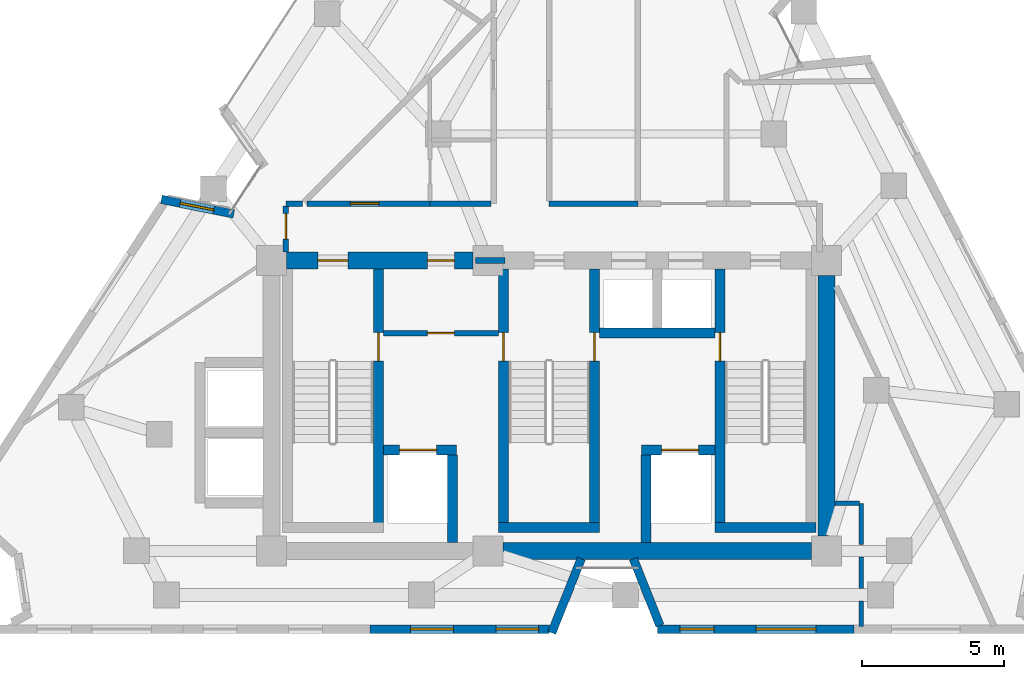
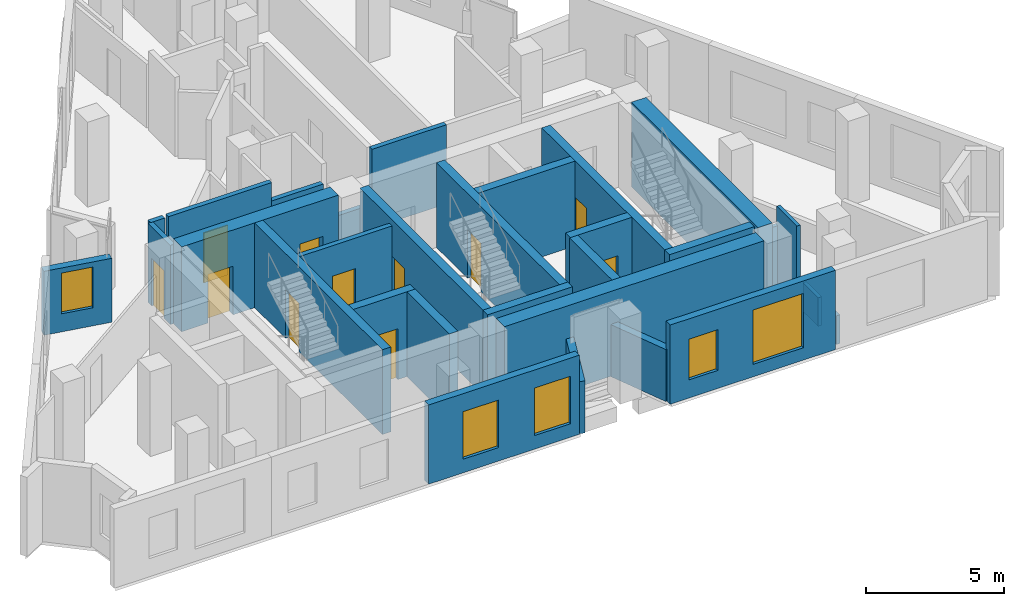
# One storey, part 5 of 9: 30 walls, 11 doors, 5 windows, 16 openings.
"""IFC4 building model written with IfcOpenShell, lengths in metres."""

from ifc_helpers import new_model, si_unit, direction, frame, frame_2d, origin, place, context, subcontext, project, spatial, rectangle, extrude, material, layer, layer_set, type_object, element, fill, save


model = new_model("IFC4")

# Units and contexts
model_context = context("Model", 3, precision=1e-05, world=origin(), true_north=direction((0.0, 1.0)))
body_context = subcontext(model_context, "Body", "Model", "MODEL_VIEW")
ifc_project = project(units=[si_unit("LENGTHUNIT", "METRE"), si_unit("AREAUNIT", "SQUARE_METRE"), si_unit("VOLUMEUNIT", "CUBIC_METRE"), si_unit("PLANEANGLEUNIT", "RADIAN"), si_unit("MASSUNIT", "GRAM", prefix="KILO")], contexts=[model_context])

# Site, building, storey
site_placement = place(None, origin())
site = spatial("IfcSite", under=ifc_project, at=site_placement, CompositionType="ELEMENT")
building_placement = place(site_placement, origin())
building = spatial("IfcBuilding", under=site, at=building_placement, Name="Almagre Mirador Tower", CompositionType="ELEMENT")
storey_placement = place(building_placement, frame((0.0, 0.0, 225.75)))
storey = spatial("IfcBuildingStorey", under=building, at=storey_placement, Name="L58", CompositionType="ELEMENT", Elevation=225.75)

# Wall, opening, window
ifc_material_1 = material(Name="Precast concrete C50/60", Category="concrete")
ifc_layer_1 = layer(ifc_material_1, 0.300048828125)
ifc_layer_set_1 = layer_set([ifc_layer_1], Name="Precast concrete C50/60")
wall_type_1 = type_object("IfcWallType", Name="WAL-EXT-300", PredefinedType="SOLIDWALL", material=ifc_layer_set_1)
wall_1_placement = place(storey_placement, frame((23.67578125, 16.899658203125, 0.0), z_axis=(0.0, 0.0, 1.0), x_axis=(0.980377387813, -0.197129849249, 0.0)))
wall_1 = element("IfcWall", 1, at=wall_1_placement, inside=storey, type_object=wall_type_1, Name="L58 expressed almagre precast frame wall 01", PredefinedType="SOLIDWALL", context=body_context, shape_type="SweptSolid", body=[
    extrude(rectangle(XDim=2.59326171875, YDim=0.300048828125, at=frame_2d((1.296630859375, 0.0))), origin(), (0.0, 0.0, 1.0), 2.824951171875),
])
opening_1_placement = place(wall_1_placement, frame((0.675048828125, 0.0, 0.800048828125)))
opening_1 = element("IfcOpeningElement", 2, at=opening_1_placement, cuts=wall_1, Name="Opening WN-04", PredefinedType="OPENING", context=body_context, shape_type="SweptSolid", body=[
    extrude(rectangle(XDim=1.199951171875, YDim=1.800048828125, at=frame_2d((0.60009765625, 0.89990234375))), frame((0.0, 0.159902, 0.0), z_axis=(0.0, -1.0, 0.0), x_axis=(1.0, 0.0, 0.0)), (0.0, 0.0, 1.0), 0.320049),
])
ifc_material_2 = material(Name="Dark solar-control laminated hurricane glass", Category="glass")
window_type_1 = type_object("IfcWindowType", Name="WIN-1200X1800", PartitioningType="SINGLE_PANEL", PredefinedType="WINDOW", material=ifc_material_2)
window_1_placement = place(opening_1_placement, origin())
window_1 = element("IfcWindow", 3, at=window_1_placement, inside=storey, type_object=window_type_1, Name="L58 recessed hurricane window L58-RST-F", OverallHeight=1.800048828125, OverallWidth=1.199951171875, PartitioningType="SINGLE_PANEL", PredefinedType="WINDOW", context=body_context, shape_type="SweptSolid", body=[
    extrude(rectangle(XDim=1.199951171875, YDim=1.800048828125, at=frame_2d((0.60009765625, 0.89990234375))), frame((0.0, 0.030029296875, 0.0), z_axis=(0.0, -1.0, 0.0), x_axis=(1.0, 0.0, 0.0)), (0.0, 0.0, 1.0), 0.06005859375),
])
fill(opening_1, window_1)

# Wall, openings, windows
wall_2_placement = place(storey_placement, frame((48.02197265625, 1.800048828125, 0.0), z_axis=(0.0, 0.0, 1.0), x_axis=(-1.0, 0.0, 0.0)))
wall_2 = element("IfcWall", 4, at=wall_2_placement, inside=storey, type_object=wall_type_1, Name="L58 expressed almagre precast frame wall 21", PredefinedType="SOLIDWALL", context=body_context, shape_type="SweptSolid", body=[
    extrude(rectangle(XDim=6.91796875, YDim=0.300048828125, at=frame_2d((3.458984375, 0.0))), origin(), (0.0, 0.0, 1.0), 3.5),
])
opening_2_placement = place(wall_2_placement, frame((4.925048828125, 0.0, 0.800048828125)))
opening_2 = element("IfcOpeningElement", 5, at=opening_2_placement, cuts=wall_2, Name="Opening WN-04", PredefinedType="OPENING", context=body_context, shape_type="SweptSolid", body=[
    extrude(rectangle(XDim=1.199951171875, YDim=1.800048828125, at=frame_2d((0.60009765625, 0.89990234375))), frame((0.0, 0.159902, 0.0), z_axis=(0.0, -1.0, 0.0), x_axis=(1.0, 0.0, 0.0)), (0.0, 0.0, 1.0), 0.320049),
])
opening_3_placement = place(wall_2_placement, frame((1.35009765625, 0.0, 0.550048828125)))
opening_3 = element("IfcOpeningElement", 6, at=opening_3_placement, cuts=wall_2, Name="Opening WN-05", PredefinedType="OPENING", context=body_context, shape_type="SweptSolid", body=[
    extrude(rectangle(XDim=2.10009765625, YDim=2.39990234375, at=frame_2d((1.050048828125, 1.199951171875))), frame((0.0, 0.159902, 0.0), z_axis=(0.0, -1.0, 0.0), x_axis=(1.0, 0.0, 0.0)), (0.0, 0.0, 1.0), 0.320049),
])
window_2_placement = place(opening_2_placement, origin())
window_2 = element("IfcWindow", 7, at=window_2_placement, inside=storey, type_object=window_type_1, Name="L58 recessed hurricane window L58-UB-BT", OverallHeight=1.800048828125, OverallWidth=1.199951171875, PartitioningType="SINGLE_PANEL", PredefinedType="WINDOW", context=body_context, shape_type="SweptSolid", body=[
    extrude(rectangle(XDim=1.199951171875, YDim=1.800048828125, at=frame_2d((0.60009765625, 0.89990234375))), frame((0.0, 0.030029296875, 0.0), z_axis=(0.0, -1.0, 0.0), x_axis=(1.0, 0.0, 0.0)), (0.0, 0.0, 1.0), 0.06005859375),
])
fill(opening_2, window_2)
ifc_material_3 = material(Name="Dark solar-control laminated hurricane glass", Category="glass")
window_type_2 = type_object("IfcWindowType", Name="WIN-2100X2400", PartitioningType="DOUBLE_PANEL_VERTICAL", PredefinedType="WINDOW", material=ifc_material_3)
window_3_placement = place(opening_3_placement, origin())
window_3 = element("IfcWindow", 8, at=window_3_placement, inside=storey, type_object=window_type_2, Name="L58 recessed hurricane window L58-UC-BT", OverallHeight=2.39990234375, OverallWidth=2.10009765625, PartitioningType="SINGLE_PANEL", PredefinedType="WINDOW", context=body_context, shape_type="SweptSolid", body=[
    extrude(rectangle(XDim=2.10009765625, YDim=2.39990234375, at=frame_2d((1.050048828125, 1.199951171875))), frame((0.0, 0.030029296875, 0.0), z_axis=(0.0, -1.0, 0.0), x_axis=(1.0, 0.0, 0.0)), (0.0, 0.0, 1.0), 0.06005859375),
])
fill(opening_3, window_3)

# Walls
wall_3_placement = place(storey_placement, frame((41.194091796875, 1.92529296875, 0.0), z_axis=(0.0, 0.0, 1.0), x_axis=(-0.369457562636, 0.929247603931, 0.0)))
element("IfcWall", 9, at=wall_3_placement, inside=storey, type_object=wall_type_1, Name="L58 expressed almagre precast frame wall 22", PredefinedType="SOLIDWALL", context=body_context, shape_type="SweptSolid", body=[
    extrude(rectangle(XDim=2.52685546875, YDim=0.300048828125, at=frame_2d((1.263427734375, 0.0))), origin(), (0.0, 0.0, 1.0), 2.300048828125),
])
wall_4_placement = place(storey_placement, frame((38.427490234375, 4.2734375, 0.0), z_axis=(0.0, 0.0, 1.0), x_axis=(-0.369466825356, -0.929243921132, 0.0)))
element("IfcWall", 10, at=wall_4_placement, inside=storey, type_object=wall_type_1, Name="L58 expressed almagre precast frame wall 23", PredefinedType="SOLIDWALL", context=body_context, shape_type="SweptSolid", body=[
    extrude(rectangle(XDim=2.8017578125, YDim=0.300048828125, at=frame_2d((1.40087890625, 0.0))), origin(), (0.0, 0.0, 1.0), 2.300048828125),
])

# Wall, openings, windows
wall_5_placement = place(storey_placement, frame((37.30908203125, 1.800048828125, 0.0), z_axis=(0.0, 0.0, 1.0), x_axis=(-1.0, 0.0, 0.0)))
wall_5 = element("IfcWall", 11, at=wall_5_placement, inside=storey, type_object=wall_type_1, Name="L58 expressed almagre precast frame wall 24", PredefinedType="SOLIDWALL", context=body_context, shape_type="SweptSolid", body=[
    extrude(rectangle(XDim=6.2998046875, YDim=0.300048828125, at=frame_2d((3.14990234375, 0.0))), origin(), (0.0, 0.0, 1.0), 3.5),
])
opening_4_placement = place(wall_5_placement, frame((3.375, 0.0, 0.60009765625)))
opening_4 = element("IfcOpeningElement", 12, at=opening_4_placement, cuts=wall_5, Name="Opening WN-03", PredefinedType="OPENING", context=body_context, shape_type="SweptSolid", body=[
    extrude(rectangle(XDim=1.5, YDim=2.10009765625, at=frame_2d((0.75, 1.050048828125))), frame((0.0, 0.159902, 0.0), z_axis=(0.0, -1.0, 0.0), x_axis=(1.0, 0.0, 0.0)), (0.0, 0.0, 1.0), 0.320049),
])
opening_5_placement = place(wall_5_placement, frame((0.375, 0.0, 0.60009765625)))
opening_5 = element("IfcOpeningElement", 13, at=opening_5_placement, cuts=wall_5, Name="Opening WN-03", PredefinedType="OPENING", context=body_context, shape_type="SweptSolid", body=[
    extrude(rectangle(XDim=1.5, YDim=2.10009765625, at=frame_2d((0.75, 1.050048828125))), frame((0.0, 0.159902, 0.0), z_axis=(0.0, -1.0, 0.0), x_axis=(1.0, 0.0, 0.0)), (0.0, 0.0, 1.0), 0.320049),
])
ifc_material_4 = material(Name="Dark solar-control laminated hurricane glass", Category="glass")
window_type_3 = type_object("IfcWindowType", Name="WIN-1500X2100", PartitioningType="DOUBLE_PANEL_VERTICAL", PredefinedType="WINDOW", material=ifc_material_4)
window_4_placement = place(opening_4_placement, origin())
window_4 = element("IfcWindow", 14, at=window_4_placement, inside=storey, type_object=window_type_3, Name="L58 recessed hurricane window L58-UB-ST", OverallHeight=2.10009765625, OverallWidth=1.5, PartitioningType="SINGLE_PANEL", PredefinedType="WINDOW", context=body_context, shape_type="SweptSolid", body=[
    extrude(rectangle(XDim=1.5, YDim=2.10009765625, at=frame_2d((0.75, 1.050048828125))), frame((0.0, 0.030029296875, 0.0), z_axis=(0.0, -1.0, 0.0), x_axis=(1.0, 0.0, 0.0)), (0.0, 0.0, 1.0), 0.06005859375),
])
fill(opening_4, window_4)
window_5_placement = place(opening_5_placement, origin())
window_5 = element("IfcWindow", 15, at=window_5_placement, inside=storey, type_object=window_type_3, Name="L58 recessed hurricane window L58-UB-BT", OverallHeight=2.10009765625, OverallWidth=1.5, PartitioningType="SINGLE_PANEL", PredefinedType="WINDOW", context=body_context, shape_type="SweptSolid", body=[
    extrude(rectangle(XDim=1.5, YDim=2.10009765625, at=frame_2d((0.75, 1.050048828125))), frame((0.0, 0.030029296875, 0.0), z_axis=(0.0, -1.0, 0.0), x_axis=(1.0, 0.0, 0.0)), (0.0, 0.0, 1.0), 0.06005859375),
])
fill(opening_5, window_5)

# Walls
ifc_material_5 = material(Name="Gypsum acoustic stud partition", Category="other")
ifc_layer_2 = layer(ifc_material_5, 0.14990234375)
ifc_layer_set_2 = layer_set([ifc_layer_2], Name="Gypsum acoustic stud partition")
wall_type_2 = type_object("IfcWallType", Name="WAL-PRT-150-STD", PredefinedType="PARTITIONING", material=ifc_layer_set_2)
wall_6_placement = place(storey_placement, frame((48.27001953125, 2.780029296875, 0.0), z_axis=(0.0, 0.0, 1.0), x_axis=(0.0, -1.0, 0.0)))
element("IfcWall", 16, at=wall_6_placement, inside=storey, type_object=wall_type_2, Name="L58 interior partition 026", PredefinedType="PARTITIONING", context=body_context, shape_type="SweptSolid", body=[
    extrude(rectangle(XDim=0.880126953125, YDim=0.14990234375, at=frame_2d((0.43994140625, 0.0))), origin(), (0.0, 0.0, 1.0), 1.27001953125),
])
wall_7_placement = place(storey_placement, frame((48.27001953125, 4.330078125, 0.0), z_axis=(0.0, 0.0, 1.0), x_axis=(0.0, -1.0, 0.0)))
element("IfcWall", 17, at=wall_7_placement, inside=storey, type_object=wall_type_2, Name="L58 interior partition 027", PredefinedType="PARTITIONING", context=body_context, shape_type="SweptSolid", body=[
    extrude(rectangle(XDim=1.110107421875, YDim=0.14990234375, at=frame_2d((0.55517578125, 0.0))), origin(), (0.0, 0.0, 1.0), 1.27001953125),
])
wall_8_placement = place(storey_placement, frame((48.27001953125, 6.219970703125, 0.0), z_axis=(0.0, 0.0, 1.0), x_axis=(0.0, -1.0, 0.0)))
element("IfcWall", 18, at=wall_8_placement, inside=storey, type_object=wall_type_2, Name="L58 interior partition 028", PredefinedType="PARTITIONING", context=body_context, shape_type="SweptSolid", body=[
    extrude(rectangle(XDim=1.449951171875, YDim=0.14990234375, at=frame_2d((0.72509765625, 0.0))), origin(), (0.0, 0.0, 1.0), 3.5),
])
wall_9_placement = place(storey_placement, frame((47.35009765625, 6.219970703125, 0.0), z_axis=(0.0, 0.0, 1.0), x_axis=(1.0, 0.0, 0.0)))
element("IfcWall", 19, at=wall_9_placement, inside=storey, type_object=wall_type_2, Name="L58 interior partition 030", PredefinedType="PARTITIONING", context=body_context, shape_type="SweptSolid", body=[
    extrude(rectangle(XDim=0.85986328125, YDim=0.14990234375, at=frame_2d((0.429931640625, 0.0))), origin(), (0.0, 0.0, 1.0), 2.68505859375),
])
ifc_material_6 = material(Name="Gypsum acoustic stud partition", Category="other")
ifc_layer_3 = layer(ifc_material_6, 0.199951171875)
ifc_layer_set_3 = layer_set([ifc_layer_3], Name="Gypsum acoustic stud partition")
wall_type_3 = type_object("IfcWallType", Name="WAL-PRT-200-EI60", PredefinedType="PARTITIONING", material=ifc_layer_set_3)
wall_10_placement = place(storey_placement, frame((34.719970703125, 14.75, 0.0), z_axis=(0.0, 0.0, 1.0), x_axis=(1.0, 0.0, 0.0)))
element("IfcWall", 20, at=wall_10_placement, inside=storey, type_object=wall_type_3, Name="L58 core north closure wall", PredefinedType="PARTITIONING", context=body_context, shape_type="SweptSolid", body=[
    extrude(rectangle(XDim=1.030029296875, YDim=0.199951171875, at=frame_2d((0.51513671875, 0.0))), origin(), (0.0, 0.0, 1.0), 2.68505859375),
])

# Wall, opening, door
wall_11_placement = place(storey_placement, frame((31.47998046875, 12.199951171875, 0.0), z_axis=(0.0, 0.0, 1.0), x_axis=(1.0, 0.0, 0.0)))
wall_11 = element("IfcWall", 21, at=wall_11_placement, inside=storey, type_object=wall_type_3, Name="L58 FFL-1 north enclosure wall", PredefinedType="PARTITIONING", context=body_context, shape_type="SweptSolid", body=[
    extrude(rectangle(XDim=4.0400390625, YDim=0.199951171875, at=frame_2d((2.02001953125, 0.0))), origin(), (0.0, 0.0, 1.0), 3.5),
])
opening_6_placement = place(wall_11_placement, frame((1.544921875, 0.0, 0.0)))
opening_6 = element("IfcOpeningElement", 22, at=opening_6_placement, cuts=wall_11, Name="Opening ID-02", PredefinedType="OPENING", context=body_context, shape_type="SweptSolid", body=[
    extrude(rectangle(XDim=0.949951171875, YDim=2.14990234375, at=frame_2d((0.47509765625, 1.074951171875))), frame((0.0, 0.110098, 0.0), z_axis=(0.0, -1.0, 0.0), x_axis=(1.0, 0.0, 0.0)), (0.0, 0.0, 1.0), 0.219951),
])
ifc_material_7 = material(Name="Fire-rated walnut timber", Category="wood")
door_type_1 = type_object("IfcDoorType", Name="DOR-FD60-950X2150", OperationType="NOTDEFINED", PredefinedType="DOOR", material=ifc_material_7)
door_1_placement = place(opening_6_placement, origin())
door_1 = element("IfcDoor", 23, at=door_1_placement, inside=storey, type_object=door_type_1, Name="DR-1779 L58 FFL-1 north smoke door", OperationType="SINGLE_SWING_RIGHT", OverallHeight=2.14990234375, OverallWidth=0.949951171875, PredefinedType="DOOR", context=body_context, shape_type="SweptSolid", body=[
    extrude(rectangle(XDim=0.949951171875, YDim=2.14990234375, at=frame_2d((0.47509765625, 1.074951171875))), frame((0.0, 0.02490234375, 0.0), z_axis=(0.0, -1.0, 0.0), x_axis=(1.0, 0.0, 0.0)), (0.0, 0.0, 1.0), 0.050048828125),
])
fill(opening_6, door_1)

# Wall
wall_12_placement = place(storey_placement, frame((28.639892578125, 16.75, 0.0), z_axis=(0.0, 0.0, 1.0), x_axis=(-1.0, 0.0, 0.0)))
element("IfcWall", 24, at=wall_12_placement, inside=storey, type_object=wall_type_3, Name="L58 interior partition 003", PredefinedType="PARTITIONING", context=body_context, shape_type="SweptSolid", body=[
    extrude(rectangle(XDim=0.58984375, YDim=0.199951171875, at=frame_2d((0.294921875, 0.0))), origin(), (0.0, 0.0, 1.0), 3.5),
])

# Wall, opening, door
wall_13_placement = place(storey_placement, frame((28.050048828125, 16.6650390625, 0.0), z_axis=(0.0, 0.0, 1.0), x_axis=(0.0, -1.0, 0.0)))
wall_13 = element("IfcWall", 25, at=wall_13_placement, inside=storey, type_object=wall_type_3, Name="L58 interior partition 004", PredefinedType="PARTITIONING", context=body_context, shape_type="SweptSolid", body=[
    extrude(rectangle(XDim=1.614990234375, YDim=0.199951171875, at=frame_2d((0.8076171875, 0.0))), origin(), (0.0, 0.0, 1.0), 3.5),
])
opening_7_placement = place(wall_13_placement, frame((0.262939453125, 0.0, 0.0)))
opening_7 = element("IfcOpeningElement", 26, at=opening_7_placement, cuts=wall_13, Name="Opening ID-03", PredefinedType="OPENING", context=body_context, shape_type="SweptSolid", body=[
    extrude(rectangle(XDim=0.89990234375, YDim=2.10009765625, at=frame_2d((0.449951171875, 1.050048828125))), frame((0.0, 0.110098, 0.0), z_axis=(0.0, -1.0, 0.0), x_axis=(1.0, 0.0, 0.0)), (0.0, 0.0, 1.0), 0.219951),
])
ifc_material_8 = material(Name="Fire-rated hollow steel", Category="steel")
door_type_2 = type_object("IfcDoorType", Name="DOR-FD60-900X2100", OperationType="NOTDEFINED", PredefinedType="DOOR", material=ifc_material_8)
door_2_placement = place(opening_7_placement, origin())
door_2 = element("IfcDoor", 27, at=door_2_placement, inside=storey, type_object=door_type_2, Name="DR-1785 L58 interior door L58-RCOR to L58-RST-F", OperationType="SINGLE_SWING_LEFT", OverallHeight=2.10009765625, OverallWidth=0.89990234375, PredefinedType="DOOR", context=body_context, shape_type="SweptSolid", body=[
    extrude(rectangle(XDim=0.89990234375, YDim=2.10009765625, at=frame_2d((0.449951171875, 1.050048828125))), frame((0.0, 0.02490234375, 0.0), z_axis=(0.0, -1.0, 0.0), x_axis=(1.0, 0.0, 0.0)), (0.0, 0.0, 1.0), 0.050048828125),
])
fill(opening_7, door_2)

wall_14_placement = place(storey_placement, frame((33.110107421875, 16.75, 0.0), z_axis=(0.0, 0.0, 1.0), x_axis=(-1.0, 0.0, 0.0)))
wall_14 = element("IfcWall", 28, at=wall_14_placement, inside=storey, type_object=wall_type_3, Name="L58 interior partition 005", PredefinedType="PARTITIONING", context=body_context, shape_type="SweptSolid", body=[
    extrude(rectangle(XDim=4.31005859375, YDim=0.199951171875, at=frame_2d((2.155029296875, 0.0))), origin(), (0.0, 0.0, 1.0), 3.5),
])
opening_8_placement = place(wall_14_placement, frame((1.794189453125, 0.0, 0.0)))
opening_8 = element("IfcOpeningElement", 29, at=opening_8_placement, cuts=wall_14, Name="Opening ID-01", PredefinedType="OPENING", context=body_context, shape_type="SweptSolid", body=[
    extrude(rectangle(XDim=1.0, YDim=2.199951171875, at=frame_2d((0.5, 1.10009765625))), frame((0.0, 0.110098, 0.0), z_axis=(0.0, -1.0, 0.0), x_axis=(1.0, 0.0, 0.0)), (0.0, 0.0, 1.0), 0.219951),
])
ifc_material_9 = material(Name="Fire-rated walnut timber", Category="wood")
door_type_3 = type_object("IfcDoorType", Name="DOR-FD60-1000X2200", OperationType="NOTDEFINED", PredefinedType="DOOR", material=ifc_material_9)
door_3_placement = place(opening_8_placement, origin())
door_3 = element("IfcDoor", 30, at=door_3_placement, inside=storey, type_object=door_type_3, Name="DR-1788 L58 interior door L58-RCOR to L58-UG-ST", OperationType="SINGLE_SWING_RIGHT", OverallHeight=2.199951171875, OverallWidth=1.0, PredefinedType="DOOR", context=body_context, shape_type="SweptSolid", body=[
    extrude(rectangle(XDim=1.0, YDim=2.199951171875, at=frame_2d((0.5, 1.10009765625))), frame((0.0, 0.02490234375, 0.0), z_axis=(0.0, -1.0, 0.0), x_axis=(1.0, 0.0, 0.0)), (0.0, 0.0, 1.0), 0.050048828125),
])
fill(opening_8, door_3)

# Walls
wall_15_placement = place(storey_placement, frame((35.264892578125, 16.75, 0.0), z_axis=(0.0, 0.0, 1.0), x_axis=(-1.0, 0.0, 0.0)))
element("IfcWall", 31, at=wall_15_placement, inside=storey, type_object=wall_type_3, Name="L58 interior partition 007", PredefinedType="PARTITIONING", context=body_context, shape_type="SweptSolid", body=[
    extrude(rectangle(XDim=2.15478515625, YDim=0.199951171875, at=frame_2d((1.077392578125, 0.0))), origin(), (0.0, 0.0, 1.0), 2.68505859375),
])
wall_16_placement = place(storey_placement, frame((40.419921875, 16.75, 0.0), z_axis=(0.0, 0.0, 1.0), x_axis=(-1.0, 0.0, 0.0)))
element("IfcWall", 32, at=wall_16_placement, inside=storey, type_object=wall_type_3, Name="L58 interior partition 009", PredefinedType="PARTITIONING", context=body_context, shape_type="SweptSolid", body=[
    extrude(rectangle(XDim=3.119873046875, YDim=0.199951171875, at=frame_2d((1.56005859375, 0.0))), origin(), (0.0, 0.0, 1.0), 3.5),
])

# Wall, opening, door
ifc_material_10 = material(Name="Concrete C60/75", Category="concrete")
ifc_layer_4 = layer(ifc_material_10, 0.35009765625)
ifc_layer_set_4 = layer_set([ifc_layer_4], Name="Concrete C60/75")
wall_type_4 = type_object("IfcWallType", Name="WAL-SHF-350", PredefinedType="SOLIDWALL", material=ifc_layer_set_4)
wall_17_placement = place(storey_placement, frame((31.300048828125, 5.199951171875, 0.0), z_axis=(0.0, 0.0, 1.0), x_axis=(0.0, 1.0, 0.0)))
wall_17 = element("IfcWall", 33, at=wall_17_placement, inside=storey, type_object=wall_type_4, Name="L58 shaft wall ST1-E", PredefinedType="SOLIDWALL", context=body_context, shape_type="SweptSolid", body=[
    extrude(rectangle(XDim=9.25, YDim=0.35009765625, at=frame_2d((4.625, 0.0))), origin(), (0.0, 0.0, 1.0), 3.75),
])
opening_9_placement = place(wall_17_placement, frame((6.02001953125, 0.0, 0.0)))
opening_9 = element("IfcOpeningElement", 34, at=opening_9_placement, cuts=wall_17, Name="Opening FD-01", PredefinedType="OPENING", context=body_context, shape_type="SweptSolid", body=[
    extrude(rectangle(XDim=1.0, YDim=2.14990234375, at=frame_2d((0.5, 1.074951171875))), frame((0.0, 0.185049, 0.0), z_axis=(0.0, -1.0, 0.0), x_axis=(1.0, 0.0, 0.0)), (0.0, 0.0, 1.0), 0.370098),
])
ifc_material_11 = material(Name="Fire-rated hollow steel", Category="steel")
door_type_4 = type_object("IfcDoorType", Name="DOR-FFL-1000X2150", OperationType="NOTDEFINED", PredefinedType="DOOR", material=ifc_material_11)
door_4_placement = place(opening_9_placement, origin())
door_4 = element("IfcDoor", 35, at=door_4_placement, inside=storey, type_object=door_type_4, Name="DR-1780 L58 FFL1-ST1 smokeproof door", OperationType="SINGLE_SWING_RIGHT", OverallHeight=2.14990234375, OverallWidth=1.0, PredefinedType="DOOR", context=body_context, shape_type="SweptSolid", body=[
    extrude(rectangle(XDim=1.0, YDim=2.14990234375, at=frame_2d((0.5, 1.074951171875))), frame((0.0, 0.02490234375, 0.0), z_axis=(0.0, -1.0, 0.0), x_axis=(1.0, 0.0, 0.0)), (0.0, 0.0, 1.0), 0.050048828125),
])
fill(opening_9, door_4)

wall_18_placement = place(storey_placement, frame((35.699951171875, 5.199951171875, 0.0), z_axis=(0.0, 0.0, 1.0), x_axis=(0.0, 1.0, 0.0)))
wall_18 = element("IfcWall", 36, at=wall_18_placement, inside=storey, type_object=wall_type_4, Name="L58 shaft wall ST2-W", PredefinedType="SOLIDWALL", context=body_context, shape_type="SweptSolid", body=[
    extrude(rectangle(XDim=9.25, YDim=0.35009765625, at=frame_2d((4.625, 0.0))), origin(), (0.0, 0.0, 1.0), 3.75),
])
opening_10_placement = place(wall_18_placement, frame((6.02001953125, 0.0, 0.0)))
opening_10 = element("IfcOpeningElement", 37, at=opening_10_placement, cuts=wall_18, Name="Opening FD-01", PredefinedType="OPENING", context=body_context, shape_type="SweptSolid", body=[
    extrude(rectangle(XDim=1.0, YDim=2.14990234375, at=frame_2d((0.5, 1.074951171875))), frame((0.0, 0.185049, 0.0), z_axis=(0.0, -1.0, 0.0), x_axis=(1.0, 0.0, 0.0)), (0.0, 0.0, 1.0), 0.370098),
])
door_5_placement = place(opening_10_placement, origin())
door_5 = element("IfcDoor", 38, at=door_5_placement, inside=storey, type_object=door_type_4, Name="DR-1781 L58 FFL1-ST2 smokeproof door", OperationType="SINGLE_SWING_LEFT", OverallHeight=2.14990234375, OverallWidth=1.0, PredefinedType="DOOR", context=body_context, shape_type="SweptSolid", body=[
    extrude(rectangle(XDim=1.0, YDim=2.14990234375, at=frame_2d((0.5, 1.074951171875))), frame((0.0, 0.02490234375, 0.0), z_axis=(0.0, -1.0, 0.0), x_axis=(1.0, 0.0, 0.0)), (0.0, 0.0, 1.0), 0.050048828125),
])
fill(opening_10, door_5)

wall_19_placement = place(storey_placement, frame((38.89990234375, 5.199951171875, 0.0), z_axis=(0.0, 0.0, 1.0), x_axis=(0.0, 1.0, 0.0)))
wall_19 = element("IfcWall", 39, at=wall_19_placement, inside=storey, type_object=wall_type_4, Name="L58 shaft wall ST2-E", PredefinedType="SOLIDWALL", context=body_context, shape_type="SweptSolid", body=[
    extrude(rectangle(XDim=9.25, YDim=0.35009765625, at=frame_2d((4.625, 0.0))), origin(), (0.0, 0.0, 1.0), 3.75),
])
opening_11_placement = place(wall_19_placement, frame((6.02001953125, 0.0, 0.0)))
opening_11 = element("IfcOpeningElement", 40, at=opening_11_placement, cuts=wall_19, Name="Opening FD-01", PredefinedType="OPENING", context=body_context, shape_type="SweptSolid", body=[
    extrude(rectangle(XDim=1.0, YDim=2.14990234375, at=frame_2d((0.5, 1.074951171875))), frame((0.0, 0.185049, 0.0), z_axis=(0.0, -1.0, 0.0), x_axis=(1.0, 0.0, 0.0)), (0.0, 0.0, 1.0), 0.370098),
])
door_6_placement = place(opening_11_placement, origin())
door_6 = element("IfcDoor", 41, at=door_6_placement, inside=storey, type_object=door_type_4, Name="DR-1782 L58 FFL2-ST2 smokeproof door", OperationType="SINGLE_SWING_RIGHT", OverallHeight=2.14990234375, OverallWidth=1.0, PredefinedType="DOOR", context=body_context, shape_type="SweptSolid", body=[
    extrude(rectangle(XDim=1.0, YDim=2.14990234375, at=frame_2d((0.5, 1.074951171875))), frame((0.0, 0.02490234375, 0.0), z_axis=(0.0, -1.0, 0.0), x_axis=(1.0, 0.0, 0.0)), (0.0, 0.0, 1.0), 0.050048828125),
])
fill(opening_11, door_6)

# Wall
wall_20_placement = place(storey_placement, frame((35.52490234375, 5.375, 0.0), z_axis=(0.0, 0.0, 1.0), x_axis=(1.0, 0.0, 0.0)))
element("IfcWall", 42, at=wall_20_placement, inside=storey, type_object=wall_type_4, Name="L58 shaft wall ST2-S", PredefinedType="SOLIDWALL", context=body_context, shape_type="SweptSolid", body=[
    extrude(rectangle(XDim=3.550048828125, YDim=0.35009765625, at=frame_2d((1.77490234375, 0.0))), origin(), (0.0, 0.0, 1.0), 3.75),
])

# Wall, opening, door
wall_21_placement = place(storey_placement, frame((43.300048828125, 5.199951171875, 0.0), z_axis=(0.0, 0.0, 1.0), x_axis=(0.0, 1.0, 0.0)))
wall_21 = element("IfcWall", 43, at=wall_21_placement, inside=storey, type_object=wall_type_4, Name="L58 shaft wall ST3-W", PredefinedType="SOLIDWALL", context=body_context, shape_type="SweptSolid", body=[
    extrude(rectangle(XDim=9.25, YDim=0.35009765625, at=frame_2d((4.625, 0.0))), origin(), (0.0, 0.0, 1.0), 3.75),
])
opening_12_placement = place(wall_21_placement, frame((6.02001953125, 0.0, 0.0)))
opening_12 = element("IfcOpeningElement", 44, at=opening_12_placement, cuts=wall_21, Name="Opening FD-01", PredefinedType="OPENING", context=body_context, shape_type="SweptSolid", body=[
    extrude(rectangle(XDim=1.0, YDim=2.14990234375, at=frame_2d((0.5, 1.074951171875))), frame((0.0, 0.185049, 0.0), z_axis=(0.0, -1.0, 0.0), x_axis=(1.0, 0.0, 0.0)), (0.0, 0.0, 1.0), 0.370098),
])
door_7_placement = place(opening_12_placement, origin())
door_7 = element("IfcDoor", 45, at=door_7_placement, inside=storey, type_object=door_type_4, Name="DR-1783 L58 FFL2-ST3 smokeproof door", OperationType="SINGLE_SWING_LEFT", OverallHeight=2.14990234375, OverallWidth=1.0, PredefinedType="DOOR", context=body_context, shape_type="SweptSolid", body=[
    extrude(rectangle(XDim=1.0, YDim=2.14990234375, at=frame_2d((0.5, 1.074951171875))), frame((0.0, 0.02490234375, 0.0), z_axis=(0.0, -1.0, 0.0), x_axis=(1.0, 0.0, 0.0)), (0.0, 0.0, 1.0), 0.050048828125),
])
fill(opening_12, door_7)

# Wall
wall_22_placement = place(storey_placement, frame((43.125, 5.375, 0.0), z_axis=(0.0, 0.0, 1.0), x_axis=(1.0, 0.0, 0.0)))
element("IfcWall", 46, at=wall_22_placement, inside=storey, type_object=wall_type_4, Name="L58 shaft wall ST3-S", PredefinedType="SOLIDWALL", context=body_context, shape_type="SweptSolid", body=[
    extrude(rectangle(XDim=3.550048828125, YDim=0.35009765625, at=frame_2d((1.77490234375, 0.0))), origin(), (0.0, 0.0, 1.0), 3.75),
])

# Wall, opening, door
wall_23_placement = place(storey_placement, frame((31.47509765625, 8.10009765625, 0.0), z_axis=(0.0, 0.0, 1.0), x_axis=(1.0, 0.0, 0.0)))
wall_23 = element("IfcWall", 47, at=wall_23_placement, inside=storey, type_object=wall_type_4, Name="L58 shaft wall FSAE1-N", PredefinedType="SOLIDWALL", context=body_context, shape_type="SweptSolid", body=[
    extrude(rectangle(XDim=2.574951171875, YDim=0.35009765625, at=frame_2d((1.28759765625, 0.0))), origin(), (0.0, 0.0, 1.0), 3.75),
])
opening_13_placement = place(wall_23_placement, frame((0.574951171875, 0.0, 0.0)))
opening_13 = element("IfcOpeningElement", 48, at=opening_13_placement, cuts=wall_23, Name="Opening LD-03", PredefinedType="OPENING", context=body_context, shape_type="SweptSolid", body=[
    extrude(rectangle(XDim=1.300048828125, YDim=2.25, at=frame_2d((0.64990234375, 1.125))), frame((0.0, 0.185049, 0.0), z_axis=(0.0, -1.0, 0.0), x_axis=(1.0, 0.0, 0.0)), (0.0, 0.0, 1.0), 0.370098),
])
ifc_material_12 = material(Name="Hollow stainless steel", Category="steel")
door_type_5 = type_object("IfcDoorType", Name="DOR-LD-1300X2250", OperationType="DOUBLE_DOOR_SLIDING", PredefinedType="DOOR", material=ifc_material_12)
door_8_placement = place(opening_13_placement, origin())
door_8 = element("IfcDoor", 49, at=door_8_placement, inside=storey, type_object=door_type_5, Name="DR-1797 L58 FSAE-1 lift landing door", OperationType="DOUBLE_DOOR_SLIDING", OverallHeight=2.25, OverallWidth=1.300048828125, PredefinedType="DOOR", context=body_context, shape_type="SweptSolid", body=[
    extrude(rectangle(XDim=1.300048828125, YDim=2.25, at=frame_2d((0.64990234375, 1.125))), frame((0.0, 0.02490234375, 0.0), z_axis=(0.0, -1.0, 0.0), x_axis=(1.0, 0.0, 0.0)), (0.0, 0.0, 1.0), 0.050048828125),
])
fill(opening_13, door_8)

wall_24_placement = place(storey_placement, frame((40.550048828125, 8.10009765625, 0.0), z_axis=(0.0, 0.0, 1.0), x_axis=(1.0, 0.0, 0.0)))
wall_24 = element("IfcWall", 50, at=wall_24_placement, inside=storey, type_object=wall_type_4, Name="L58 shaft wall FSAE2-N", PredefinedType="SOLIDWALL", context=body_context, shape_type="SweptSolid", body=[
    extrude(rectangle(XDim=2.574951171875, YDim=0.35009765625, at=frame_2d((1.28759765625, 0.0))), origin(), (0.0, 0.0, 1.0), 3.75),
])
opening_14_placement = place(wall_24_placement, frame((0.699951171875, 0.0, 0.0)))
opening_14 = element("IfcOpeningElement", 51, at=opening_14_placement, cuts=wall_24, Name="Opening LD-03", PredefinedType="OPENING", context=body_context, shape_type="SweptSolid", body=[
    extrude(rectangle(XDim=1.300048828125, YDim=2.25, at=frame_2d((0.64990234375, 1.125))), frame((0.0, 0.185049, 0.0), z_axis=(0.0, -1.0, 0.0), x_axis=(1.0, 0.0, 0.0)), (0.0, 0.0, 1.0), 0.370098),
])
door_9_placement = place(opening_14_placement, origin())
door_9 = element("IfcDoor", 52, at=door_9_placement, inside=storey, type_object=door_type_5, Name="DR-1798 L58 FSAE-2 lift landing door", OperationType="DOUBLE_DOOR_SLIDING", OverallHeight=2.25, OverallWidth=1.300048828125, PredefinedType="DOOR", context=body_context, shape_type="SweptSolid", body=[
    extrude(rectangle(XDim=1.300048828125, YDim=2.25, at=frame_2d((0.64990234375, 1.125))), frame((0.0, 0.02490234375, 0.0), z_axis=(0.0, -1.0, 0.0), x_axis=(1.0, 0.0, 0.0)), (0.0, 0.0, 1.0), 0.050048828125),
])
fill(opening_14, door_9)

# Walls
for number, where, z_axis, x_axis, name in (
    (53, (33.89990234375, 4.85009765625, 0.0), (0.0, 0.0, 1.0), (0.0, 1.0, 0.0), "L58 shaft wall FSAE1-E"),
    (54, (40.699951171875, 4.85009765625, 0.0), (0.0, 0.0, 1.0), (0.0, 1.0, 0.0), "L58 shaft wall FSAE2-W"),
):
    element("IfcWall", number, at=place(storey_placement, frame(where, z_axis=z_axis, x_axis=x_axis)), inside=storey, type_object=wall_type_4, Name=name, PredefinedType="SOLIDWALL", context=body_context, shape_type="SweptSolid", body=[
        extrude(rectangle(XDim=3.074951171875, YDim=0.35009765625, at=frame_2d((1.53759765625, 0.0))), origin(), (0.0, 0.0, 1.0), 3.75),
    ])
wall_25_placement = place(storey_placement, frame((39.074951171875, 12.199951171875, 0.0), z_axis=(0.0, 0.0, 1.0), x_axis=(1.0, 0.0, 0.0)))
element("IfcWall", 55, at=wall_25_placement, inside=storey, type_object=wall_type_4, Name="L58 shaft wall PLH-S", PredefinedType="SOLIDWALL", context=body_context, shape_type="SweptSolid", body=[
    extrude(rectangle(XDim=4.050048828125, YDim=0.35009765625, at=frame_2d((2.02490234375, 0.0))), origin(), (0.0, 0.0, 1.0), 3.75),
])
ifc_material_13 = material(Name="Concrete C60/75", Category="concrete")
ifc_layer_5 = layer(ifc_material_13, 0.60009765625)
ifc_layer_set_5 = layer_set([ifc_layer_5], Name="Concrete C60/75")
wall_type_5 = type_object("IfcWallType", Name="WAL-SHR-600", PredefinedType="SHEAR", material=ifc_layer_set_5)
wall_26_placement = place(storey_placement, frame((35.675048828125, 4.550048828125, 0.0), z_axis=(0.0, 0.0, 1.0), x_axis=(1.0, 0.0, 0.0)))
element("IfcWall", 56, at=wall_26_placement, inside=storey, type_object=wall_type_5, Name="L58 core shear wall S2", PredefinedType="SHEAR", context=body_context, shape_type="SweptSolid", body=[
    extrude(rectangle(XDim=10.849853515625, YDim=0.60009765625, at=frame_2d((5.4248046875, 0.0))), origin(), (0.0, 0.0, 1.0), 3.75),
])

# Wall, openings, doors
wall_27_placement = place(storey_placement, frame((28.074951171875, 14.75, 0.0), z_axis=(0.0, 0.0, 1.0), x_axis=(1.0, 0.0, 0.0)))
wall_27 = element("IfcWall", 57, at=wall_27_placement, inside=storey, type_object=wall_type_5, Name="L58 core shear wall N1", PredefinedType="SHEAR", context=body_context, shape_type="SweptSolid", body=[
    extrude(rectangle(XDim=6.550048828125, YDim=0.60009765625, at=frame_2d((3.27490234375, 0.0))), origin(), (0.0, 0.0, 1.0), 3.75),
])
opening_15_placement = place(wall_27_placement, frame((1.10009765625, 0.0, 0.0)))
opening_15 = element("IfcOpeningElement", 58, at=opening_15_placement, cuts=wall_27, Name="Opening SD-01", PredefinedType="OPENING", context=body_context, shape_type="SweptSolid", body=[
    extrude(rectangle(XDim=1.050048828125, YDim=2.14990234375, at=frame_2d((0.52490234375, 1.074951171875))), frame((0.0, 0.310049, 0.0), z_axis=(0.0, -1.0, 0.0), x_axis=(1.0, 0.0, 0.0)), (0.0, 0.0, 1.0), 0.620098),
])
opening_16_placement = place(wall_27_placement, frame((4.949951171875, 0.0, 0.0)))
opening_16 = element("IfcOpeningElement", 59, at=opening_16_placement, cuts=wall_27, Name="Opening FD-02", PredefinedType="OPENING", context=body_context, shape_type="SweptSolid", body=[
    extrude(rectangle(XDim=0.949951171875, YDim=2.14990234375, at=frame_2d((0.47509765625, 1.074951171875))), frame((0.0, 0.310049, 0.0), z_axis=(0.0, -1.0, 0.0), x_axis=(1.0, 0.0, 0.0)), (0.0, 0.0, 1.0), 0.620098),
])
ifc_material_14 = material(Name="Fire-rated hollow steel", Category="steel")
door_type_6 = type_object("IfcDoorType", Name="DOR-FD90-950X2150", OperationType="NOTDEFINED", PredefinedType="DOOR", material=ifc_material_14)
door_10_placement = place(opening_16_placement, origin())
door_10 = element("IfcDoor", 60, at=door_10_placement, inside=storey, type_object=door_type_6, Name="DR-1778 L58 core equipment room north door", OperationType="SINGLE_SWING_LEFT", OverallHeight=2.14990234375, OverallWidth=0.949951171875, PredefinedType="DOOR", context=body_context, shape_type="SweptSolid", body=[
    extrude(rectangle(XDim=0.949951171875, YDim=2.14990234375, at=frame_2d((0.47509765625, 1.074951171875))), frame((0.0, 0.02490234375, 0.0), z_axis=(0.0, -1.0, 0.0), x_axis=(1.0, 0.0, 0.0)), (0.0, 0.0, 1.0), 0.050048828125),
])
fill(opening_16, door_10)
ifc_material_15 = material(Name="Fire-rated hollow steel", Category="steel")
door_type_7 = type_object("IfcDoorType", Name="DOR-ST-1050X2150", OperationType="NOTDEFINED", PredefinedType="DOOR", material=ifc_material_15)
door_11_placement = place(opening_15_placement, origin())
door_11 = element("IfcDoor", 61, at=door_11_placement, inside=storey, type_object=door_type_7, Name="DR-1801 L58 protected exit stair ST-1 door", OperationType="SINGLE_SWING_LEFT", OverallHeight=2.14990234375, OverallWidth=1.050048828125, PredefinedType="DOOR", context=body_context, shape_type="SweptSolid", body=[
    extrude(rectangle(XDim=1.050048828125, YDim=2.14990234375, at=frame_2d((0.52490234375, 1.074951171875))), frame((0.0, 0.02490234375, 0.0), z_axis=(0.0, -1.0, 0.0), x_axis=(1.0, 0.0, 0.0)), (0.0, 0.0, 1.0), 0.050048828125),
])
fill(opening_15, door_11)

# Wall
wall_28_placement = place(storey_placement, frame((47.050048828125, 5.074951171875, 0.0), z_axis=(0.0, 0.0, 1.0), x_axis=(0.0, 1.0, 0.0)))
element("IfcWall", 62, at=wall_28_placement, inside=storey, type_object=wall_type_5, Name="L58 core shear wall E1", PredefinedType="SHEAR", context=body_context, shape_type="SweptSolid", body=[
    extrude(rectangle(XDim=9.150146484375, YDim=0.60009765625, at=frame_2d((4.5751953125, 0.0))), origin(), (0.0, 0.0, 1.0), 3.75),
])

save(model, "model.ifc")
